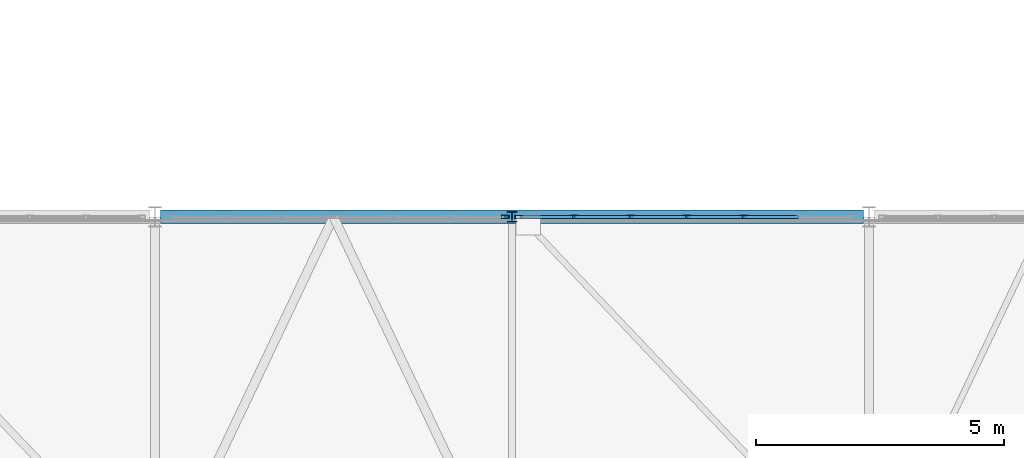
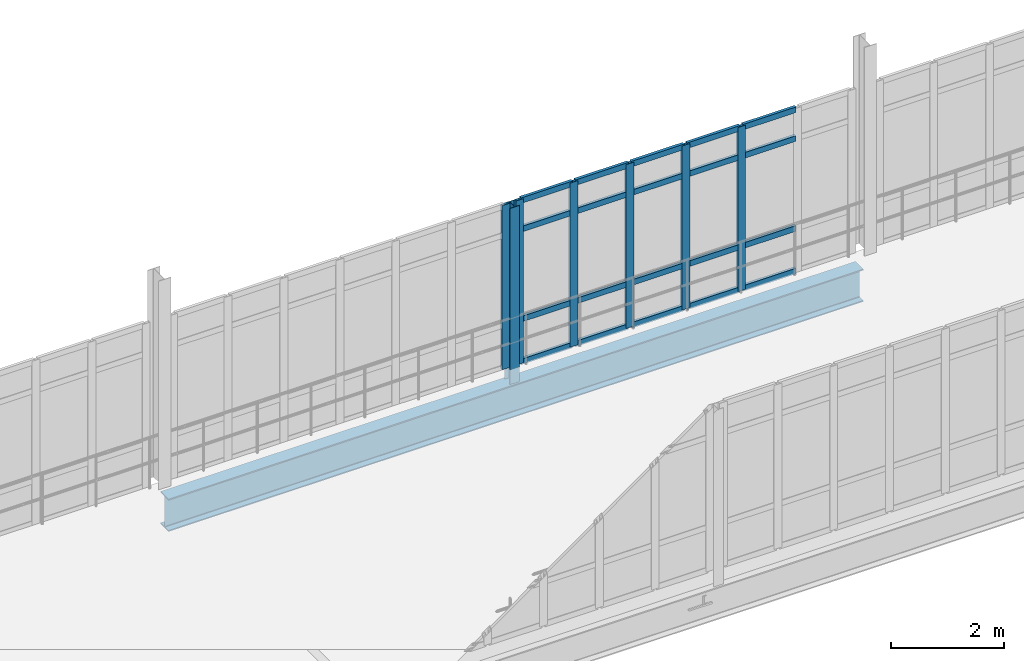
# One storey, part 28 of 116: 27 members, 1 beam, 2 elements without a shape of their own.
"""IFC4 building model written with IfcOpenShell, lengths in metres."""

from ifc_helpers import new_model, si_unit, direction, frame, origin, origin_2d, place, context, subcontext, project, spatial, hollow_rectangle, i_section, extrude, material, material_profile, profile_set, type_object, element, aggregate, save


model = new_model("IFC4")

# Units and contexts
model_context = context("Model", 3, precision=1e-05, world=origin(), true_north=direction((0.0, 1.0)))
body_context = subcontext(model_context, "Body", "Model", "MODEL_VIEW")
ifc_project = project(units=[si_unit("LENGTHUNIT", "METRE"), si_unit("AREAUNIT", "SQUARE_METRE"), si_unit("VOLUMEUNIT", "CUBIC_METRE"), si_unit("PLANEANGLEUNIT", "RADIAN"), si_unit("MASSUNIT", "GRAM", prefix="KILO")], contexts=[model_context])

# Site, building, storey
site_placement = place(None, origin())
site = spatial("IfcSite", under=ifc_project, at=site_placement, CompositionType="ELEMENT")
building_placement = place(site_placement, origin())
building = spatial("IfcBuilding", under=site, at=building_placement, Name="Kalluvel Institute of Natural Sciences", CompositionType="ELEMENT")
storey_placement = place(building_placement, frame((0.0, 0.0, 14.39990234375)))
storey = spatial("IfcBuildingStorey", under=building, at=storey_placement, Name="L03", CompositionType="ELEMENT", Elevation=14.39990234375)

# Beam
ifc_material_1 = material(Name="Steel E350 Grade 350", Category="steel")
ifc_material_profile_1 = material_profile(ifc_material_1, i_section(OverallWidth=0.280029296875, OverallDepth=0.699951171875, WebThickness=0.013916015625, FlangeThickness=0.02392578125, FilletRadius=0.01611328125, at=origin_2d()), Name="WPG 700x280")
ifc_profile_set_1 = profile_set([ifc_material_profile_1], Name="Steel E350 Grade 350")
beam_type = type_object("IfcBeamType", Name="BM-WPG700", PredefinedType="BEAM", material=ifc_profile_set_1)
beam_placement = place(storey_placement, frame((64.510009765625, 35.60009765625, -0.669921875), z_axis=(1.0, 0.0, 0.0), x_axis=(0.0, 1.0, 0.0)))
element("IfcBeam", 1, at=beam_placement, inside=storey, type_object=beam_type, Name="L03 link bridge main plate-girder chord 35", PredefinedType="BEAM", context=body_context, shape_type="SweptSolid", body=[
    extrude(i_section(OverallWidth=0.280029296875, OverallDepth=0.699951171875, WebThickness=0.013916015625, FlangeThickness=0.02392578125, FilletRadius=0.01611328125, at=origin_2d()), origin(), (0.0, 0.0, 1.0), 14.179931640625),
])

# Curtain wall, member
ifc_material_2 = material(Name="Aluminium AW-6063 T6", Category="aluminium")
curtain_wall_type = type_object("IfcCurtainWallType", Name="CW-BRG-45", PredefinedType="USERDEFINED", material=ifc_material_2)
curtain_wall_1_placement = place(storey_placement, origin())
curtain_wall_1 = element("IfcCurtainWall", 2, at=curtain_wall_1_placement, inside=storey, type_object=curtain_wall_type, Name="L03 Gothic lancet curtain wall CWA-L03-X646-Y356", ObjectType="UNITISED LANCET FACADE", PredefinedType="USERDEFINED")
ifc_material_profile_2 = material_profile(ifc_material_2, hollow_rectangle(XDim=0.06005859375, YDim=0.159912109375, WallThickness=0.00390625, at=origin_2d()), Name="CWM 60x160")
ifc_profile_set_2 = profile_set([ifc_material_profile_2], Name="Aluminium AW-6063 T6")
member_type_1 = type_object("IfcMemberType", Name="CWM-60x160", PredefinedType="MULLION", material=ifc_profile_set_2)
member_1_placement = place(storey_placement, frame((71.4599609375, 35.60009765625, 0.0), z_axis=(0.0, 0.0, 1.0), x_axis=(0.0, 1.0, 0.0)))
member_1 = element("IfcMember", 3, at=member_1_placement, type_object=member_type_1, Name="CW-07 mullion 7", PredefinedType="MULLION", context=body_context, shape_type="SweptSolid", body=[
    extrude(hollow_rectangle(XDim=0.06005859375, YDim=0.159912109375, WallThickness=0.00390625, at=origin_2d()), origin(), (0.0, 0.0, 1.0), 3.5400390625),
])
aggregate(curtain_wall_1, [member_1])

# Curtain wall, members
curtain_wall_2_placement = place(storey_placement, origin())
curtain_wall_2 = element("IfcCurtainWall", 4, at=curtain_wall_2_placement, inside=storey, type_object=curtain_wall_type, Name="L03 Gothic lancet curtain wall CWA-L03-X717-Y356", ObjectType="UNITISED LANCET FACADE", PredefinedType="USERDEFINED")
member_2_placement = place(storey_placement, frame((71.739990234375, 35.60009765625, 0.0), z_axis=(0.0, 0.0, 1.0), x_axis=(0.0, 1.0, 0.0)))
member_2 = element("IfcMember", 5, at=member_2_placement, type_object=member_type_1, Name="CW-07 mullion 1", PredefinedType="MULLION", context=body_context, shape_type="SweptSolid", body=[
    extrude(hollow_rectangle(XDim=0.06005859375, YDim=0.159912109375, WallThickness=0.00390625, at=origin_2d()), origin(), (0.0, 0.0, 1.0), 3.5400390625),
])
member_3_placement = place(storey_placement, frame((72.85009765625, 35.60009765625, 0.0), z_axis=(0.0, 0.0, 1.0), x_axis=(0.0, 1.0, 0.0)))
member_3 = element("IfcMember", 6, at=member_3_placement, type_object=member_type_1, Name="CW-07 mullion 2", PredefinedType="MULLION", context=body_context, shape_type="SweptSolid", body=[
    extrude(hollow_rectangle(XDim=0.06005859375, YDim=0.159912109375, WallThickness=0.00390625, at=origin_2d()), origin(), (0.0, 0.0, 1.0), 3.5400390625),
])
member_4_placement = place(storey_placement, frame((73.989990234375, 35.60009765625, 0.0), z_axis=(0.0, 0.0, 1.0), x_axis=(0.0, 1.0, 0.0)))
member_4 = element("IfcMember", 7, at=member_4_placement, type_object=member_type_1, Name="CW-07 mullion 3", PredefinedType="MULLION", context=body_context, shape_type="SweptSolid", body=[
    extrude(hollow_rectangle(XDim=0.06005859375, YDim=0.159912109375, WallThickness=0.00390625, at=origin_2d()), origin(), (0.0, 0.0, 1.0), 3.5400390625),
])
member_5_placement = place(storey_placement, frame((75.1298828125, 35.60009765625, 0.0), z_axis=(0.0, 0.0, 1.0), x_axis=(0.0, 1.0, 0.0)))
member_5 = element("IfcMember", 8, at=member_5_placement, type_object=member_type_1, Name="CW-07 mullion 4", PredefinedType="MULLION", context=body_context, shape_type="SweptSolid", body=[
    extrude(hollow_rectangle(XDim=0.06005859375, YDim=0.159912109375, WallThickness=0.00390625, at=origin_2d()), origin(), (0.0, 0.0, 1.0), 3.5400390625),
])
member_6_placement = place(storey_placement, frame((76.27001953125, 35.60009765625, 0.0), z_axis=(0.0, 0.0, 1.0), x_axis=(0.0, 1.0, 0.0)))
member_6 = element("IfcMember", 9, at=member_6_placement, type_object=member_type_1, Name="CW-07 mullion 5", PredefinedType="MULLION", context=body_context, shape_type="SweptSolid", body=[
    extrude(hollow_rectangle(XDim=0.06005859375, YDim=0.159912109375, WallThickness=0.00390625, at=origin_2d()), origin(), (0.0, 0.0, 1.0), 3.5400390625),
])
ifc_material_profile_3 = material_profile(ifc_material_2, hollow_rectangle(XDim=0.06005859375, YDim=0.1201171875, WallThickness=0.00390625, at=origin_2d()), Name="CWT 60x120")
ifc_profile_set_3 = profile_set([ifc_material_profile_3], Name="Aluminium AW-6063 T6")
member_type_2 = type_object("IfcMemberType", Name="CWT-60x120", PredefinedType="USERDEFINED", material=ifc_profile_set_3)
member_7_placement = place(storey_placement, frame((71.77001953125, 35.60009765625, 0.030029296875), z_axis=(1.0, 0.0, 0.0), x_axis=(0.0, 1.0, 0.0)))
member_7 = element("IfcMember", 10, at=member_7_placement, type_object=member_type_2, Name="CW-07 transom 1.1", ObjectType="TRANSOM", PredefinedType="USERDEFINED", context=body_context, shape_type="SweptSolid", body=[
    extrude(hollow_rectangle(XDim=0.06005859375, YDim=0.1201171875, WallThickness=0.00390625, at=origin_2d()), origin(), (0.0, 0.0, 1.0), 1.050048828125),
])
member_8_placement = place(storey_placement, frame((71.77001953125, 35.60009765625, 0.9501953125), z_axis=(1.0, 0.0, 0.0), x_axis=(0.0, 1.0, 0.0)))
member_8 = element("IfcMember", 11, at=member_8_placement, type_object=member_type_2, Name="CW-07 transom 1.2", ObjectType="TRANSOM", PredefinedType="USERDEFINED", context=body_context, shape_type="SweptSolid", body=[
    extrude(hollow_rectangle(XDim=0.06005859375, YDim=0.1201171875, WallThickness=0.00390625, at=origin_2d()), origin(), (0.0, 0.0, 1.0), 1.050048828125),
])
member_9_placement = place(storey_placement, frame((71.77001953125, 35.60009765625, 2.89013671875), z_axis=(1.0, 0.0, 0.0), x_axis=(0.0, 1.0, 0.0)))
member_9 = element("IfcMember", 12, at=member_9_placement, type_object=member_type_2, Name="CW-07 transom 1.3", ObjectType="TRANSOM", PredefinedType="USERDEFINED", context=body_context, shape_type="SweptSolid", body=[
    extrude(hollow_rectangle(XDim=0.06005859375, YDim=0.1201171875, WallThickness=0.00390625, at=origin_2d()), origin(), (0.0, 0.0, 1.0), 1.050048828125),
])
member_10_placement = place(storey_placement, frame((71.77001953125, 35.60009765625, 3.510009765625), z_axis=(1.0, 0.0, 0.0), x_axis=(0.0, 1.0, 0.0)))
member_10 = element("IfcMember", 13, at=member_10_placement, type_object=member_type_2, Name="CW-07 transom 1.4", ObjectType="TRANSOM", PredefinedType="USERDEFINED", context=body_context, shape_type="SweptSolid", body=[
    extrude(hollow_rectangle(XDim=0.06005859375, YDim=0.1201171875, WallThickness=0.00390625, at=origin_2d()), origin(), (0.0, 0.0, 1.0), 1.050048828125),
])
member_11_placement = place(storey_placement, frame((72.8798828125, 35.60009765625, 0.030029296875), z_axis=(1.0, 0.0, 0.0), x_axis=(0.0, 1.0, 0.0)))
member_11 = element("IfcMember", 14, at=member_11_placement, type_object=member_type_2, Name="CW-07 transom 2.1", ObjectType="TRANSOM", PredefinedType="USERDEFINED", context=body_context, shape_type="SweptSolid", body=[
    extrude(hollow_rectangle(XDim=0.06005859375, YDim=0.1201171875, WallThickness=0.00390625, at=origin_2d()), origin(), (0.0, 0.0, 1.0), 1.080078125),
])
member_12_placement = place(storey_placement, frame((72.8798828125, 35.60009765625, 0.9501953125), z_axis=(1.0, 0.0, 0.0), x_axis=(0.0, 1.0, 0.0)))
member_12 = element("IfcMember", 15, at=member_12_placement, type_object=member_type_2, Name="CW-07 transom 2.2", ObjectType="TRANSOM", PredefinedType="USERDEFINED", context=body_context, shape_type="SweptSolid", body=[
    extrude(hollow_rectangle(XDim=0.06005859375, YDim=0.1201171875, WallThickness=0.00390625, at=origin_2d()), origin(), (0.0, 0.0, 1.0), 1.080078125),
])
member_13_placement = place(storey_placement, frame((72.8798828125, 35.60009765625, 2.89013671875), z_axis=(1.0, 0.0, 0.0), x_axis=(0.0, 1.0, 0.0)))
member_13 = element("IfcMember", 16, at=member_13_placement, type_object=member_type_2, Name="CW-07 transom 2.3", ObjectType="TRANSOM", PredefinedType="USERDEFINED", context=body_context, shape_type="SweptSolid", body=[
    extrude(hollow_rectangle(XDim=0.06005859375, YDim=0.1201171875, WallThickness=0.00390625, at=origin_2d()), origin(), (0.0, 0.0, 1.0), 1.080078125),
])
member_14_placement = place(storey_placement, frame((72.8798828125, 35.60009765625, 3.510009765625), z_axis=(1.0, 0.0, 0.0), x_axis=(0.0, 1.0, 0.0)))
member_14 = element("IfcMember", 17, at=member_14_placement, type_object=member_type_2, Name="CW-07 transom 2.4", ObjectType="TRANSOM", PredefinedType="USERDEFINED", context=body_context, shape_type="SweptSolid", body=[
    extrude(hollow_rectangle(XDim=0.06005859375, YDim=0.1201171875, WallThickness=0.00390625, at=origin_2d()), origin(), (0.0, 0.0, 1.0), 1.080078125),
])
member_15_placement = place(storey_placement, frame((74.02001953125, 35.60009765625, 0.030029296875), z_axis=(1.0, 0.0, 0.0), x_axis=(0.0, 1.0, 0.0)))
member_15 = element("IfcMember", 18, at=member_15_placement, type_object=member_type_2, Name="CW-07 transom 3.1", ObjectType="TRANSOM", PredefinedType="USERDEFINED", context=body_context, shape_type="SweptSolid", body=[
    extrude(hollow_rectangle(XDim=0.06005859375, YDim=0.1201171875, WallThickness=0.00390625, at=origin_2d()), origin(), (0.0, 0.0, 1.0), 1.080078125),
])
member_16_placement = place(storey_placement, frame((74.02001953125, 35.60009765625, 0.9501953125), z_axis=(1.0, 0.0, 0.0), x_axis=(0.0, 1.0, 0.0)))
member_16 = element("IfcMember", 19, at=member_16_placement, type_object=member_type_2, Name="CW-07 transom 3.2", ObjectType="TRANSOM", PredefinedType="USERDEFINED", context=body_context, shape_type="SweptSolid", body=[
    extrude(hollow_rectangle(XDim=0.06005859375, YDim=0.1201171875, WallThickness=0.00390625, at=origin_2d()), origin(), (0.0, 0.0, 1.0), 1.080078125),
])
member_17_placement = place(storey_placement, frame((74.02001953125, 35.60009765625, 2.89013671875), z_axis=(1.0, 0.0, 0.0), x_axis=(0.0, 1.0, 0.0)))
member_17 = element("IfcMember", 20, at=member_17_placement, type_object=member_type_2, Name="CW-07 transom 3.3", ObjectType="TRANSOM", PredefinedType="USERDEFINED", context=body_context, shape_type="SweptSolid", body=[
    extrude(hollow_rectangle(XDim=0.06005859375, YDim=0.1201171875, WallThickness=0.00390625, at=origin_2d()), origin(), (0.0, 0.0, 1.0), 1.080078125),
])
member_18_placement = place(storey_placement, frame((74.02001953125, 35.60009765625, 3.510009765625), z_axis=(1.0, 0.0, 0.0), x_axis=(0.0, 1.0, 0.0)))
member_18 = element("IfcMember", 21, at=member_18_placement, type_object=member_type_2, Name="CW-07 transom 3.4", ObjectType="TRANSOM", PredefinedType="USERDEFINED", context=body_context, shape_type="SweptSolid", body=[
    extrude(hollow_rectangle(XDim=0.06005859375, YDim=0.1201171875, WallThickness=0.00390625, at=origin_2d()), origin(), (0.0, 0.0, 1.0), 1.080078125),
])
member_19_placement = place(storey_placement, frame((75.159912109375, 35.60009765625, 0.030029296875), z_axis=(1.0, 0.0, 0.0), x_axis=(0.0, 1.0, 0.0)))
member_19 = element("IfcMember", 22, at=member_19_placement, type_object=member_type_2, Name="CW-07 transom 4.1", ObjectType="TRANSOM", PredefinedType="USERDEFINED", context=body_context, shape_type="SweptSolid", body=[
    extrude(hollow_rectangle(XDim=0.06005859375, YDim=0.1201171875, WallThickness=0.00390625, at=origin_2d()), origin(), (0.0, 0.0, 1.0), 1.080078125),
])
member_20_placement = place(storey_placement, frame((75.159912109375, 35.60009765625, 0.9501953125), z_axis=(1.0, 0.0, 0.0), x_axis=(0.0, 1.0, 0.0)))
member_20 = element("IfcMember", 23, at=member_20_placement, type_object=member_type_2, Name="CW-07 transom 4.2", ObjectType="TRANSOM", PredefinedType="USERDEFINED", context=body_context, shape_type="SweptSolid", body=[
    extrude(hollow_rectangle(XDim=0.06005859375, YDim=0.1201171875, WallThickness=0.00390625, at=origin_2d()), origin(), (0.0, 0.0, 1.0), 1.080078125),
])
member_21_placement = place(storey_placement, frame((75.159912109375, 35.60009765625, 2.89013671875), z_axis=(1.0, 0.0, 0.0), x_axis=(0.0, 1.0, 0.0)))
member_21 = element("IfcMember", 24, at=member_21_placement, type_object=member_type_2, Name="CW-07 transom 4.3", ObjectType="TRANSOM", PredefinedType="USERDEFINED", context=body_context, shape_type="SweptSolid", body=[
    extrude(hollow_rectangle(XDim=0.06005859375, YDim=0.1201171875, WallThickness=0.00390625, at=origin_2d()), origin(), (0.0, 0.0, 1.0), 1.080078125),
])
member_22_placement = place(storey_placement, frame((75.159912109375, 35.60009765625, 3.510009765625), z_axis=(1.0, 0.0, 0.0), x_axis=(0.0, 1.0, 0.0)))
member_22 = element("IfcMember", 25, at=member_22_placement, type_object=member_type_2, Name="CW-07 transom 4.4", ObjectType="TRANSOM", PredefinedType="USERDEFINED", context=body_context, shape_type="SweptSolid", body=[
    extrude(hollow_rectangle(XDim=0.06005859375, YDim=0.1201171875, WallThickness=0.00390625, at=origin_2d()), origin(), (0.0, 0.0, 1.0), 1.080078125),
])
member_23_placement = place(storey_placement, frame((76.300048828125, 35.60009765625, 0.030029296875), z_axis=(1.0, 0.0, 0.0), x_axis=(0.0, 1.0, 0.0)))
member_23 = element("IfcMember", 26, at=member_23_placement, type_object=member_type_2, Name="CW-07 transom 5.1", ObjectType="TRANSOM", PredefinedType="USERDEFINED", context=body_context, shape_type="SweptSolid", body=[
    extrude(hollow_rectangle(XDim=0.06005859375, YDim=0.1201171875, WallThickness=0.00390625, at=origin_2d()), origin(), (0.0, 0.0, 1.0), 1.079833984375),
])
member_24_placement = place(storey_placement, frame((76.300048828125, 35.60009765625, 0.9501953125), z_axis=(1.0, 0.0, 0.0), x_axis=(0.0, 1.0, 0.0)))
member_24 = element("IfcMember", 27, at=member_24_placement, type_object=member_type_2, Name="CW-07 transom 5.2", ObjectType="TRANSOM", PredefinedType="USERDEFINED", context=body_context, shape_type="SweptSolid", body=[
    extrude(hollow_rectangle(XDim=0.06005859375, YDim=0.1201171875, WallThickness=0.00390625, at=origin_2d()), origin(), (0.0, 0.0, 1.0), 1.079833984375),
])
member_25_placement = place(storey_placement, frame((76.300048828125, 35.60009765625, 2.89013671875), z_axis=(1.0, 0.0, 0.0), x_axis=(0.0, 1.0, 0.0)))
member_25 = element("IfcMember", 28, at=member_25_placement, type_object=member_type_2, Name="CW-07 transom 5.3", ObjectType="TRANSOM", PredefinedType="USERDEFINED", context=body_context, shape_type="SweptSolid", body=[
    extrude(hollow_rectangle(XDim=0.06005859375, YDim=0.1201171875, WallThickness=0.00390625, at=origin_2d()), origin(), (0.0, 0.0, 1.0), 1.079833984375),
])
member_26_placement = place(storey_placement, frame((76.300048828125, 35.60009765625, 3.510009765625), z_axis=(1.0, 0.0, 0.0), x_axis=(0.0, 1.0, 0.0)))
member_26 = element("IfcMember", 29, at=member_26_placement, type_object=member_type_2, Name="CW-07 transom 5.4", ObjectType="TRANSOM", PredefinedType="USERDEFINED", context=body_context, shape_type="SweptSolid", body=[
    extrude(hollow_rectangle(XDim=0.06005859375, YDim=0.1201171875, WallThickness=0.00390625, at=origin_2d()), origin(), (0.0, 0.0, 1.0), 1.079833984375),
])
aggregate(curtain_wall_2, [member_2, member_3, member_4, member_5, member_6, member_7, member_8, member_9, member_10, member_11, member_12, member_13, member_14, member_15, member_16, member_17, member_18, member_19, member_20, member_21, member_22, member_23, member_24, member_25, member_26])

# Member
ifc_material_profile_4 = material_profile(ifc_material_1, i_section(OverallWidth=0.199951171875, OverallDepth=0.199951171875, WebThickness=0.0078125, FlangeThickness=0.009033203125, FilletRadius=0.009033203125, at=origin_2d()), Name="ISHB 200")
ifc_profile_set_4 = profile_set([ifc_material_profile_4], Name="Steel E350 Grade 350")
member_type_3 = type_object("IfcMemberType", Name="MB-ST-ISHB200", PredefinedType="STRUT", material=ifc_profile_set_4)
member_27_placement = place(storey_placement, frame((71.60009765625, 35.60009765625, -0.31982421875), z_axis=(0.0, 0.0, 1.0), x_axis=(1.0, 0.0, 0.0)))
element("IfcMember", 30, at=member_27_placement, inside=storey, type_object=member_type_3, Name="Glazed link bridge truss post 49", PredefinedType="STRUT", context=body_context, shape_type="SweptSolid", body=[
    extrude(i_section(OverallWidth=0.199951171875, OverallDepth=0.199951171875, WebThickness=0.0078125, FlangeThickness=0.009033203125, FilletRadius=0.009033203125, at=origin_2d()), origin(), (0.0, 0.0, 1.0), 3.7998046875),
])

save(model, "model.ifc")
